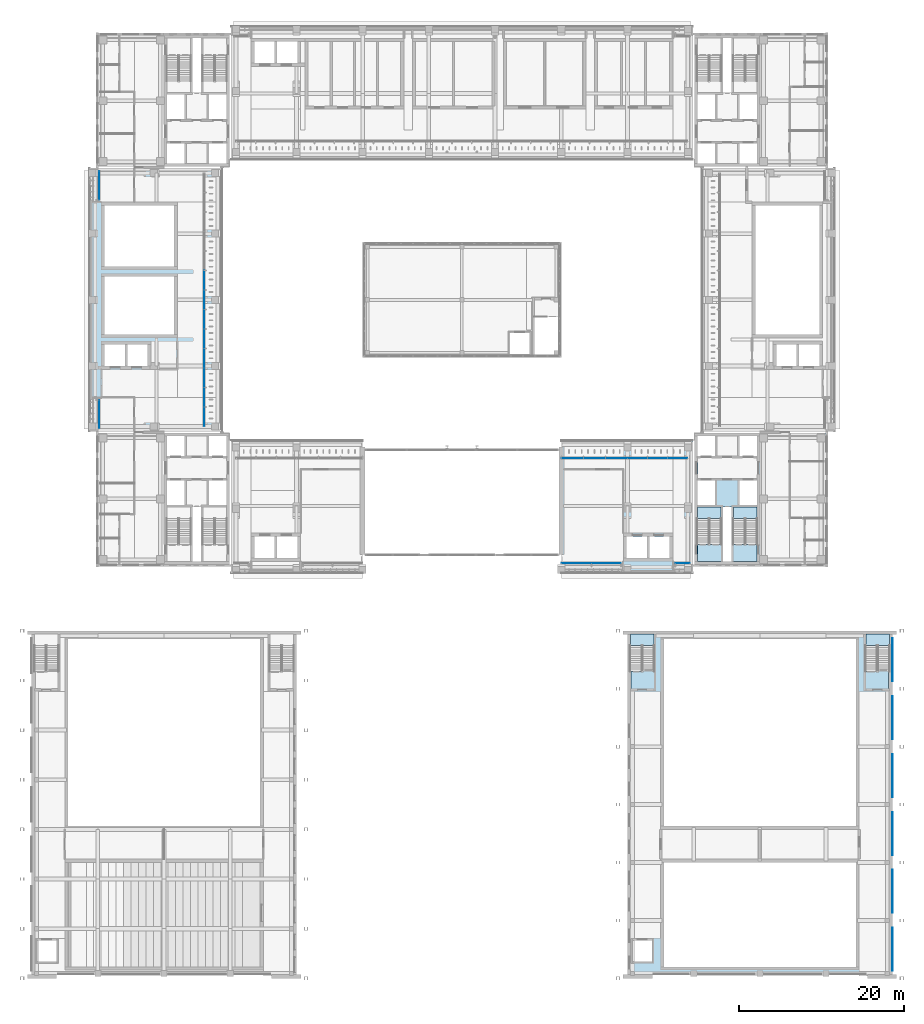
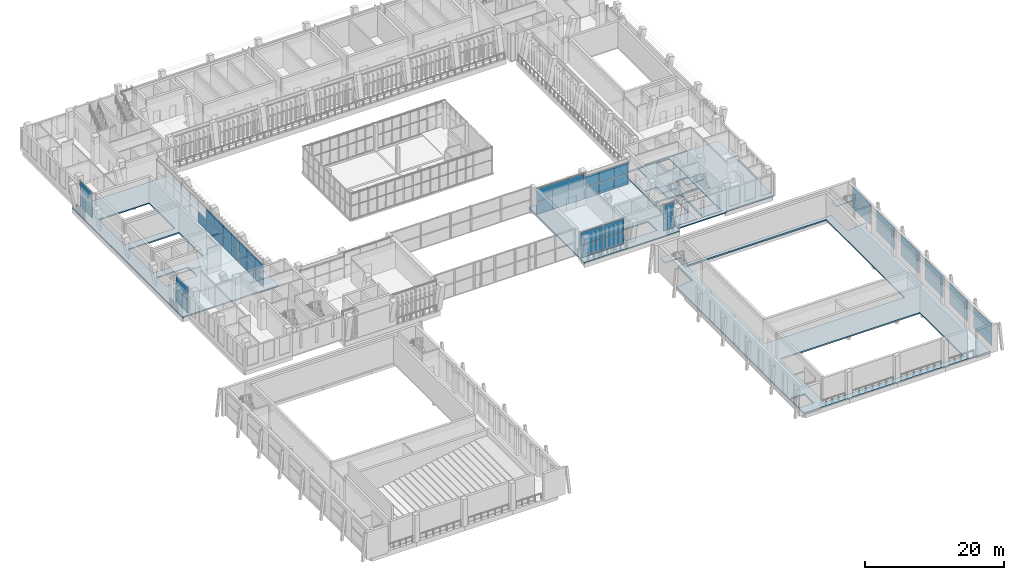
# One storey, part 53 of 92: 49 plates, 9 slabs, 11 elements without a shape of their own.
"""IFC4 building model written with IfcOpenShell, lengths in metres."""

from ifc_helpers import new_model, si_unit, direction, frame, origin, origin_2d, place, context, subcontext, project, spatial, polyline, rectangle, outline, extrude, material, layer, layer_set, type_object, element, aggregate, save


model = new_model("IFC4")

# Units and contexts
model_context = context("Model", 3, precision=1e-05, world=origin(), true_north=direction((0.0, 1.0)))
body_context = subcontext(model_context, "Body", "Model", "MODEL_VIEW")
ifc_project = project(units=[si_unit("LENGTHUNIT", "METRE"), si_unit("AREAUNIT", "SQUARE_METRE"), si_unit("VOLUMEUNIT", "CUBIC_METRE"), si_unit("PLANEANGLEUNIT", "RADIAN"), si_unit("MASSUNIT", "GRAM", prefix="KILO")], contexts=[model_context])

# Site, building, storey
site_placement = place(None, origin())
site = spatial("IfcSite", under=ifc_project, at=site_placement, CompositionType="ELEMENT")
building_placement = place(site_placement, origin())
building = spatial("IfcBuilding", under=site, at=building_placement, Name="Lantern Court Media Centre", CompositionType="ELEMENT")
storey_placement = place(building_placement, frame((0.0, 0.0, 4.800048828125)))
storey = spatial("IfcBuildingStorey", under=building, at=storey_placement, Name="L01", CompositionType="ELEMENT", Elevation=4.800048828125)

# Slab
ifc_material_1 = material(Name="Concrete C40", Category="concrete")
ifc_layer_1 = layer(ifc_material_1, 0.25)
ifc_layer_set_1 = layer_set([ifc_layer_1], Name="Concrete C40")
slab_type_1 = type_object("IfcSlabType", Name="Core floor slab 250", PredefinedType="FLOOR", material=ifc_layer_set_1)
slab_1_placement = place(storey_placement, frame((0.0, 0.0, -0.25)))
element("IfcSlab", 1, at=slab_1_placement, inside=storey, type_object=slab_type_1, Name="L01 SE core floor", PredefinedType="FLOOR", context=body_context, shape_type="SweptSolid", body=[
    extrude(outline(polyline([(87.64990234375, 55.199951171875), (87.64990234375, 54.94970703125), (84.80029296875, 54.94970703125), (84.80029296875, 50.450439453125), (87.64990234375, 50.450439453125), (87.64990234375, 48.35009765625), (84.550048828125, 48.35009765625), (84.550048828125, 54.949951171875), (83.550048828125, 54.949951171875), (83.550048828125, 48.35009765625), (80.449951171875, 48.35009765625), (80.449951171875, 50.450439453125), (83.299560546875, 50.450439453125), (83.299560546875, 54.94970703125), (80.449951171875, 54.94970703125), (80.449951171875, 55.199951171875), (82.550048828125, 55.199951171875), (82.550048828125, 58.199951171875), (80.449951171875, 58.199951171875), (80.449951171875, 61.10009765625), (82.550048828125, 61.10009765625), (82.550048828125, 63.550048828125), (85.550048828125, 63.550048828125), (85.550048828125, 61.10009765625), (87.64990234375, 61.10009765625), (87.64990234375, 58.199951171875), (85.550048828125, 58.199951171875), (85.550048828125, 55.199951171875), (87.64990234375, 55.199951171875)])), origin(), (0.0, 0.0, 1.0), 0.25),
])

# Curtain wall, plates
ifc_material_2 = material(Name="Curtain wall bay 2400")
curtain_wall_type_1 = type_object("IfcCurtainWallType", Name="Curtain wall bay 2400", PredefinedType="NOTDEFINED", material=ifc_material_2)
curtain_wall_1_placement = place(storey_placement, origin())
curtain_wall_1 = element("IfcCurtainWall", 2, at=curtain_wall_1_placement, inside=storey, type_object=curtain_wall_type_1, Name="Curtain wall S inner L01", PredefinedType="NOTDEFINED")
ifc_material_3 = material(Name="Low-iron double glazed unit glass", Category="glass")
ifc_layer_2 = layer(ifc_material_3, 0.02392578125)
ifc_layer_set_2 = layer_set([ifc_layer_2], Name="Low-iron double glazed unit glass")
plate_type_1 = type_object("IfcPlateType", Name="Curtain wall glazing unit 24", PredefinedType="CURTAIN_PANEL", material=ifc_layer_set_2)
plate_1_placement = place(storey_placement, frame((65.345947265625, 60.85009765625, 0.0498046875), z_axis=(0.0, 0.0, 1.0), x_axis=(1.0, 0.0, 0.0)))
plate_1 = element("IfcPlate", 3, at=plate_1_placement, type_object=plate_type_1, Name="CW2 panel 1.1", PredefinedType="CURTAIN_PANEL", context=body_context, shape_type="SweptSolid", body=[
    extrude(rectangle(XDim=2.591552734375, YDim=0.02392578125, at=origin_2d()), origin(), (0.0, 0.0, 1.0), 2.215087890625),
])
plate_2_placement = place(storey_placement, frame((65.345947265625, 60.85009765625, 2.31494140625), z_axis=(0.0, 0.0, 1.0), x_axis=(1.0, 0.0, 0.0)))
plate_2 = element("IfcPlate", 4, at=plate_2_placement, type_object=plate_type_1, Name="CW2 panel 1.2", PredefinedType="CURTAIN_PANEL", context=body_context, shape_type="SweptSolid", body=[
    extrude(rectangle(XDim=2.591552734375, YDim=0.02392578125, at=origin_2d()), origin(), (0.0, 0.0, 1.0), 2.215087890625),
])
plate_3_placement = place(storey_placement, frame((68.0, 60.85009765625, 0.0498046875), z_axis=(0.0, 0.0, 1.0), x_axis=(1.0, 0.0, 0.0)))
plate_3 = element("IfcPlate", 5, at=plate_3_placement, type_object=plate_type_1, Name="CW2 panel 2.1", PredefinedType="CURTAIN_PANEL", context=body_context, shape_type="SweptSolid", body=[
    extrude(rectangle(XDim=2.61669921875, YDim=0.02392578125, at=origin_2d()), origin(), (0.0, 0.0, 1.0), 2.215087890625),
])
plate_4_placement = place(storey_placement, frame((68.0, 60.85009765625, 2.31494140625), z_axis=(0.0, 0.0, 1.0), x_axis=(1.0, 0.0, 0.0)))
plate_4 = element("IfcPlate", 6, at=plate_4_placement, type_object=plate_type_1, Name="CW2 panel 2.2", PredefinedType="CURTAIN_PANEL", context=body_context, shape_type="SweptSolid", body=[
    extrude(rectangle(XDim=2.61669921875, YDim=0.02392578125, at=origin_2d()), origin(), (0.0, 0.0, 1.0), 2.215087890625),
])
plate_5_placement = place(storey_placement, frame((70.654052734375, 60.85009765625, 0.0498046875), z_axis=(0.0, 0.0, 1.0), x_axis=(1.0, 0.0, 0.0)))
plate_5 = element("IfcPlate", 7, at=plate_5_placement, type_object=plate_type_1, Name="CW2 panel 3.1", PredefinedType="CURTAIN_PANEL", context=body_context, shape_type="SweptSolid", body=[
    extrude(rectangle(XDim=2.591552734375, YDim=0.02392578125, at=origin_2d()), origin(), (0.0, 0.0, 1.0), 2.215087890625),
])
plate_6_placement = place(storey_placement, frame((70.654052734375, 60.85009765625, 2.31494140625), z_axis=(0.0, 0.0, 1.0), x_axis=(1.0, 0.0, 0.0)))
plate_6 = element("IfcPlate", 8, at=plate_6_placement, type_object=plate_type_1, Name="CW2 panel 3.2", PredefinedType="CURTAIN_PANEL", context=body_context, shape_type="SweptSolid", body=[
    extrude(rectangle(XDim=2.591552734375, YDim=0.02392578125, at=origin_2d()), origin(), (0.0, 0.0, 1.0), 2.215087890625),
])
aggregate(curtain_wall_1, [plate_1, plate_2, plate_3, plate_4, plate_5, plate_6])

curtain_wall_2_placement = place(storey_placement, origin())
curtain_wall_2 = element("IfcCurtainWall", 9, at=curtain_wall_2_placement, inside=storey, type_object=curtain_wall_type_1, Name="Curtain wall S inner L01", PredefinedType="NOTDEFINED")
plate_7_placement = place(storey_placement, frame((73.229248046875, 60.85009765625, 0.050048828125), z_axis=(0.0, 0.0, 1.0), x_axis=(1.0, 0.0, 0.0)))
plate_7 = element("IfcPlate", 10, at=plate_7_placement, type_object=plate_type_1, Name="CW2 panel 1.1", PredefinedType="CURTAIN_PANEL", context=body_context, shape_type="SweptSolid", body=[
    extrude(rectangle(XDim=2.3583984375, YDim=0.02392578125, at=origin_2d()), origin(), (0.0, 0.0, 1.0), 1.89990234375),
])
plate_8_placement = place(storey_placement, frame((73.229248046875, 60.85009765625, 2.0), z_axis=(0.0, 0.0, 1.0), x_axis=(1.0, 0.0, 0.0)))
plate_8 = element("IfcPlate", 11, at=plate_8_placement, type_object=plate_type_1, Name="CW2 panel 1.2", PredefinedType="CURTAIN_PANEL", context=body_context, shape_type="SweptSolid", body=[
    extrude(rectangle(XDim=2.3583984375, YDim=0.02392578125, at=origin_2d()), origin(), (0.0, 0.0, 1.0), 1.89990234375),
])
plate_9_placement = place(storey_placement, frame((75.64990234375, 60.85009765625, 0.050048828125), z_axis=(0.0, 0.0, 1.0), x_axis=(1.0, 0.0, 0.0)))
plate_9 = element("IfcPlate", 12, at=plate_9_placement, type_object=plate_type_1, Name="CW2 panel 2.1", PredefinedType="CURTAIN_PANEL", context=body_context, shape_type="SweptSolid", body=[
    extrude(rectangle(XDim=2.38330078125, YDim=0.02392578125, at=origin_2d()), origin(), (0.0, 0.0, 1.0), 1.89990234375),
])
plate_10_placement = place(storey_placement, frame((75.64990234375, 60.85009765625, 2.0), z_axis=(0.0, 0.0, 1.0), x_axis=(1.0, 0.0, 0.0)))
plate_10 = element("IfcPlate", 13, at=plate_10_placement, type_object=plate_type_1, Name="CW2 panel 2.2", PredefinedType="CURTAIN_PANEL", context=body_context, shape_type="SweptSolid", body=[
    extrude(rectangle(XDim=2.38330078125, YDim=0.02392578125, at=origin_2d()), origin(), (0.0, 0.0, 1.0), 1.89990234375),
])
plate_11_placement = place(storey_placement, frame((78.07080078125, 60.85009765625, 0.050048828125), z_axis=(0.0, 0.0, 1.0), x_axis=(1.0, 0.0, 0.0)))
plate_11 = element("IfcPlate", 14, at=plate_11_placement, type_object=plate_type_1, Name="CW2 panel 3.1", PredefinedType="CURTAIN_PANEL", context=body_context, shape_type="SweptSolid", body=[
    extrude(rectangle(XDim=2.3583984375, YDim=0.02392578125, at=origin_2d()), origin(), (0.0, 0.0, 1.0), 1.89990234375),
])
plate_12_placement = place(storey_placement, frame((78.07080078125, 60.85009765625, 2.0), z_axis=(0.0, 0.0, 1.0), x_axis=(1.0, 0.0, 0.0)))
plate_12 = element("IfcPlate", 15, at=plate_12_placement, type_object=plate_type_1, Name="CW2 panel 3.2", PredefinedType="CURTAIN_PANEL", context=body_context, shape_type="SweptSolid", body=[
    extrude(rectangle(XDim=2.3583984375, YDim=0.02392578125, at=origin_2d()), origin(), (0.0, 0.0, 1.0), 1.89990234375),
])
aggregate(curtain_wall_2, [plate_7, plate_8, plate_9, plate_10, plate_11, plate_12])

curtain_wall_3_placement = place(storey_placement, origin())
curtain_wall_3 = element("IfcCurtainWall", 16, at=curtain_wall_3_placement, inside=storey, type_object=curtain_wall_type_1, Name="Curtain wall W inner L01", PredefinedType="NOTDEFINED")
plate_13_placement = place(storey_placement, frame((20.85009765625, 65.889404296875, 0.050048828125), z_axis=(0.0, 0.0, 1.0), x_axis=(0.0, 1.0, 0.0)))
plate_13 = element("IfcPlate", 17, at=plate_13_placement, type_object=plate_type_1, Name="CW2 panel 1.1", PredefinedType="CURTAIN_PANEL", context=body_context, shape_type="SweptSolid", body=[
    extrude(rectangle(XDim=2.27880859375, YDim=0.02392578125, at=origin_2d()), origin(), (0.0, 0.0, 1.0), 1.89990234375),
])
plate_14_placement = place(storey_placement, frame((20.85009765625, 65.889404296875, 2.0), z_axis=(0.0, 0.0, 1.0), x_axis=(0.0, 1.0, 0.0)))
plate_14 = element("IfcPlate", 18, at=plate_14_placement, type_object=plate_type_1, Name="CW2 panel 1.2", PredefinedType="CURTAIN_PANEL", context=body_context, shape_type="SweptSolid", body=[
    extrude(rectangle(XDim=2.27880859375, YDim=0.02392578125, at=origin_2d()), origin(), (0.0, 0.0, 1.0), 1.89990234375),
])
plate_15_placement = place(storey_placement, frame((20.85009765625, 68.230712890625, 0.050048828125), z_axis=(0.0, 0.0, 1.0), x_axis=(0.0, 1.0, 0.0)))
plate_15 = element("IfcPlate", 19, at=plate_15_placement, type_object=plate_type_1, Name="CW2 panel 2.1", PredefinedType="CURTAIN_PANEL", context=body_context, shape_type="SweptSolid", body=[
    extrude(rectangle(XDim=2.303955078125, YDim=0.02392578125, at=origin_2d()), origin(), (0.0, 0.0, 1.0), 1.89990234375),
])
plate_16_placement = place(storey_placement, frame((20.85009765625, 68.230712890625, 2.0), z_axis=(0.0, 0.0, 1.0), x_axis=(0.0, 1.0, 0.0)))
plate_16 = element("IfcPlate", 20, at=plate_16_placement, type_object=plate_type_1, Name="CW2 panel 2.2", PredefinedType="CURTAIN_PANEL", context=body_context, shape_type="SweptSolid", body=[
    extrude(rectangle(XDim=2.303955078125, YDim=0.02392578125, at=origin_2d()), origin(), (0.0, 0.0, 1.0), 1.89990234375),
])
plate_17_placement = place(storey_placement, frame((20.85009765625, 70.584716796875, 0.050048828125), z_axis=(0.0, 0.0, 1.0), x_axis=(0.0, 1.0, 0.0)))
plate_17 = element("IfcPlate", 21, at=plate_17_placement, type_object=plate_type_1, Name="CW2 panel 3.1", PredefinedType="CURTAIN_PANEL", context=body_context, shape_type="SweptSolid", body=[
    extrude(rectangle(XDim=2.303955078125, YDim=0.02392578125, at=origin_2d()), origin(), (0.0, 0.0, 1.0), 1.89990234375),
])
plate_18_placement = place(storey_placement, frame((20.85009765625, 70.584716796875, 2.0), z_axis=(0.0, 0.0, 1.0), x_axis=(0.0, 1.0, 0.0)))
plate_18 = element("IfcPlate", 22, at=plate_18_placement, type_object=plate_type_1, Name="CW2 panel 3.2", PredefinedType="CURTAIN_PANEL", context=body_context, shape_type="SweptSolid", body=[
    extrude(rectangle(XDim=2.303955078125, YDim=0.02392578125, at=origin_2d()), origin(), (0.0, 0.0, 1.0), 1.89990234375),
])
plate_19_placement = place(storey_placement, frame((20.85009765625, 72.9384765625, 0.050048828125), z_axis=(0.0, 0.0, 1.0), x_axis=(0.0, 1.0, 0.0)))
plate_19 = element("IfcPlate", 23, at=plate_19_placement, type_object=plate_type_1, Name="CW2 panel 4.1", PredefinedType="CURTAIN_PANEL", context=body_context, shape_type="SweptSolid", body=[
    extrude(rectangle(XDim=2.303955078125, YDim=0.02392578125, at=origin_2d()), origin(), (0.0, 0.0, 1.0), 1.89990234375),
])
plate_20_placement = place(storey_placement, frame((20.85009765625, 72.9384765625, 2.0), z_axis=(0.0, 0.0, 1.0), x_axis=(0.0, 1.0, 0.0)))
plate_20 = element("IfcPlate", 24, at=plate_20_placement, type_object=plate_type_1, Name="CW2 panel 4.2", PredefinedType="CURTAIN_PANEL", context=body_context, shape_type="SweptSolid", body=[
    extrude(rectangle(XDim=2.303955078125, YDim=0.02392578125, at=origin_2d()), origin(), (0.0, 0.0, 1.0), 1.89990234375),
])
plate_21_placement = place(storey_placement, frame((20.85009765625, 75.292236328125, 0.050048828125), z_axis=(0.0, 0.0, 1.0), x_axis=(0.0, 1.0, 0.0)))
plate_21 = element("IfcPlate", 25, at=plate_21_placement, type_object=plate_type_1, Name="CW2 panel 5.1", PredefinedType="CURTAIN_PANEL", context=body_context, shape_type="SweptSolid", body=[
    extrude(rectangle(XDim=2.303955078125, YDim=0.02392578125, at=origin_2d()), origin(), (0.0, 0.0, 1.0), 1.89990234375),
])
plate_22_placement = place(storey_placement, frame((20.85009765625, 75.292236328125, 2.0), z_axis=(0.0, 0.0, 1.0), x_axis=(0.0, 1.0, 0.0)))
plate_22 = element("IfcPlate", 26, at=plate_22_placement, type_object=plate_type_1, Name="CW2 panel 5.2", PredefinedType="CURTAIN_PANEL", context=body_context, shape_type="SweptSolid", body=[
    extrude(rectangle(XDim=2.303955078125, YDim=0.02392578125, at=origin_2d()), origin(), (0.0, 0.0, 1.0), 1.89990234375),
])
plate_23_placement = place(storey_placement, frame((20.85009765625, 77.646240234375, 0.050048828125), z_axis=(0.0, 0.0, 1.0), x_axis=(0.0, 1.0, 0.0)))
plate_23 = element("IfcPlate", 27, at=plate_23_placement, type_object=plate_type_1, Name="CW2 panel 6.1", PredefinedType="CURTAIN_PANEL", context=body_context, shape_type="SweptSolid", body=[
    extrude(rectangle(XDim=2.303955078125, YDim=0.02392578125, at=origin_2d()), origin(), (0.0, 0.0, 1.0), 1.89990234375),
])
plate_24_placement = place(storey_placement, frame((20.85009765625, 77.646240234375, 2.0), z_axis=(0.0, 0.0, 1.0), x_axis=(0.0, 1.0, 0.0)))
plate_24 = element("IfcPlate", 28, at=plate_24_placement, type_object=plate_type_1, Name="CW2 panel 6.2", PredefinedType="CURTAIN_PANEL", context=body_context, shape_type="SweptSolid", body=[
    extrude(rectangle(XDim=2.303955078125, YDim=0.02392578125, at=origin_2d()), origin(), (0.0, 0.0, 1.0), 1.89990234375),
])
plate_25_placement = place(storey_placement, frame((20.85009765625, 80.0, 0.050048828125), z_axis=(0.0, 0.0, 1.0), x_axis=(0.0, 1.0, 0.0)))
plate_25 = element("IfcPlate", 29, at=plate_25_placement, type_object=plate_type_1, Name="CW2 panel 7.1", PredefinedType="CURTAIN_PANEL", context=body_context, shape_type="SweptSolid", body=[
    extrude(rectangle(XDim=2.303955078125, YDim=0.02392578125, at=origin_2d()), origin(), (0.0, 0.0, 1.0), 1.89990234375),
])
plate_26_placement = place(storey_placement, frame((20.85009765625, 80.0, 2.0), z_axis=(0.0, 0.0, 1.0), x_axis=(0.0, 1.0, 0.0)))
plate_26 = element("IfcPlate", 30, at=plate_26_placement, type_object=plate_type_1, Name="CW2 panel 7.2", PredefinedType="CURTAIN_PANEL", context=body_context, shape_type="SweptSolid", body=[
    extrude(rectangle(XDim=2.303955078125, YDim=0.02392578125, at=origin_2d()), origin(), (0.0, 0.0, 1.0), 1.89990234375),
])
plate_27_placement = place(storey_placement, frame((20.85009765625, 82.353759765625, 0.050048828125), z_axis=(0.0, 0.0, 1.0), x_axis=(0.0, 1.0, 0.0)))
plate_27 = element("IfcPlate", 31, at=plate_27_placement, type_object=plate_type_1, Name="CW2 panel 8.1", PredefinedType="CURTAIN_PANEL", context=body_context, shape_type="SweptSolid", body=[
    extrude(rectangle(XDim=2.303955078125, YDim=0.02392578125, at=origin_2d()), origin(), (0.0, 0.0, 1.0), 1.89990234375),
])
aggregate(curtain_wall_3, [plate_13, plate_14, plate_15, plate_16, plate_17, plate_18, plate_19, plate_20, plate_21, plate_22, plate_23, plate_24, plate_25, plate_26, plate_27])

ifc_material_4 = material(Name="Curtain wall bay 3000")
curtain_wall_type_2 = type_object("IfcCurtainWallType", Name="Curtain wall bay 3000", PredefinedType="NOTDEFINED", material=ifc_material_4)
curtain_wall_4_placement = place(storey_placement, origin())
curtain_wall_4 = element("IfcCurtainWall", 32, at=curtain_wall_4_placement, inside=storey, type_object=curtain_wall_type_2, Name="Curtain wall S outer L01", PredefinedType="NOTDEFINED")
ifc_layer_3 = layer(ifc_material_3, 0.028076171875)
ifc_layer_set_3 = layer_set([ifc_layer_3], Name="Low-iron double glazed unit glass")
plate_type_2 = type_object("IfcPlateType", Name="Curtain wall glazing unit 28", PredefinedType="CURTAIN_PANEL", material=ifc_layer_set_3)
plate_28_placement = place(storey_placement, frame((65.827392578125, 48.14990234375, 0.06005859375), z_axis=(0.0, 0.0, 1.0), x_axis=(1.0, 0.0, 0.0)))
plate_28 = element("IfcPlate", 33, at=plate_28_placement, type_object=plate_type_2, Name="CW1 panel 1.1", PredefinedType="CURTAIN_PANEL", context=body_context, shape_type="SweptSolid", body=[
    extrude(rectangle(XDim=3.534912109375, YDim=0.028076171875, at=origin_2d()), origin(), (0.0, 0.0, 1.0), 2.199951171875),
])
plate_29_placement = place(storey_placement, frame((65.827392578125, 48.14990234375, 2.31982421875), z_axis=(0.0, 0.0, 1.0), x_axis=(1.0, 0.0, 0.0)))
plate_29 = element("IfcPlate", 34, at=plate_29_placement, type_object=plate_type_2, Name="CW1 panel 1.2", PredefinedType="CURTAIN_PANEL", context=body_context, shape_type="SweptSolid", body=[
    extrude(rectangle(XDim=3.534912109375, YDim=0.028076171875, at=origin_2d()), origin(), (0.0, 0.0, 1.0), 2.199951171875),
])
plate_30_placement = place(storey_placement, frame((69.422607421875, 48.14990234375, 0.06005859375), z_axis=(0.0, 0.0, 1.0), x_axis=(1.0, 0.0, 0.0)))
plate_30 = element("IfcPlate", 35, at=plate_30_placement, type_object=plate_type_2, Name="CW1 panel 2.1", PredefinedType="CURTAIN_PANEL", context=body_context, shape_type="SweptSolid", body=[
    extrude(rectangle(XDim=3.534912109375, YDim=0.028076171875, at=origin_2d()), origin(), (0.0, 0.0, 1.0), 2.199951171875),
])
plate_31_placement = place(storey_placement, frame((69.422607421875, 48.14990234375, 2.31982421875), z_axis=(0.0, 0.0, 1.0), x_axis=(1.0, 0.0, 0.0)))
plate_31 = element("IfcPlate", 36, at=plate_31_placement, type_object=plate_type_2, Name="CW1 panel 2.2", PredefinedType="CURTAIN_PANEL", context=body_context, shape_type="SweptSolid", body=[
    extrude(rectangle(XDim=3.534912109375, YDim=0.028076171875, at=origin_2d()), origin(), (0.0, 0.0, 1.0), 2.199951171875),
])
aggregate(curtain_wall_4, [plate_28, plate_29, plate_30, plate_31])

curtain_wall_5_placement = place(storey_placement, origin())
curtain_wall_5 = element("IfcCurtainWall", 37, at=curtain_wall_5_placement, inside=storey, type_object=curtain_wall_type_2, Name="Curtain wall S outer L01", PredefinedType="NOTDEFINED")
plate_32_placement = place(storey_placement, frame((78.6650390625, 48.14990234375, 0.06005859375), z_axis=(0.0, 0.0, 1.0), x_axis=(1.0, 0.0, 0.0)))
plate_32 = element("IfcPlate", 38, at=plate_32_placement, type_object=plate_type_2, Name="CW1 panel 1.1", PredefinedType="CURTAIN_PANEL", context=body_context, shape_type="SweptSolid", body=[
    extrude(rectangle(XDim=1.7099609375, YDim=0.028076171875, at=origin_2d()), origin(), (0.0, 0.0, 1.0), 2.199951171875),
])
plate_33_placement = place(storey_placement, frame((78.6650390625, 48.14990234375, 2.31982421875), z_axis=(0.0, 0.0, 1.0), x_axis=(1.0, 0.0, 0.0)))
plate_33 = element("IfcPlate", 39, at=plate_33_placement, type_object=plate_type_2, Name="CW1 panel 1.2", PredefinedType="CURTAIN_PANEL", context=body_context, shape_type="SweptSolid", body=[
    extrude(rectangle(XDim=1.7099609375, YDim=0.028076171875, at=origin_2d()), origin(), (0.0, 0.0, 1.0), 2.199951171875),
])
aggregate(curtain_wall_5, [plate_32, plate_33])

curtain_wall_6_placement = place(storey_placement, origin())
curtain_wall_6 = element("IfcCurtainWall", 40, at=curtain_wall_6_placement, inside=storey, type_object=curtain_wall_type_2, Name="Curtain wall W outer L01", PredefinedType="NOTDEFINED")
plate_34_placement = place(storey_placement, frame((8.14990234375, 66.18505859375, 0.06005859375), z_axis=(0.0, 0.0, 1.0), x_axis=(0.0, 1.0, 0.0)))
plate_34 = element("IfcPlate", 41, at=plate_34_placement, type_object=plate_type_2, Name="CW1 panel 1.1", PredefinedType="CURTAIN_PANEL", context=body_context, shape_type="SweptSolid", body=[
    extrude(rectangle(XDim=3.409912109375, YDim=0.028076171875, at=origin_2d()), origin(), (0.0, 0.0, 1.0), 2.199951171875),
])
plate_35_placement = place(storey_placement, frame((8.14990234375, 66.18505859375, 2.31982421875), z_axis=(0.0, 0.0, 1.0), x_axis=(0.0, 1.0, 0.0)))
plate_35 = element("IfcPlate", 42, at=plate_35_placement, type_object=plate_type_2, Name="CW1 panel 1.2", PredefinedType="CURTAIN_PANEL", context=body_context, shape_type="SweptSolid", body=[
    extrude(rectangle(XDim=3.409912109375, YDim=0.028076171875, at=origin_2d()), origin(), (0.0, 0.0, 1.0), 2.199951171875),
])
aggregate(curtain_wall_6, [plate_34, plate_35])

curtain_wall_7_placement = place(storey_placement, origin())
curtain_wall_7 = element("IfcCurtainWall", 43, at=curtain_wall_7_placement, inside=storey, type_object=curtain_wall_type_2, Name="Curtain wall W outer L01", PredefinedType="NOTDEFINED")
plate_36_placement = place(storey_placement, frame((8.14990234375, 93.81494140625, 0.06005859375), z_axis=(0.0, 0.0, 1.0), x_axis=(0.0, 1.0, 0.0)))
plate_36 = element("IfcPlate", 44, at=plate_36_placement, type_object=plate_type_2, Name="CW1 panel 1.1", PredefinedType="CURTAIN_PANEL", context=body_context, shape_type="SweptSolid", body=[
    extrude(rectangle(XDim=3.409912109375, YDim=0.028076171875, at=origin_2d()), origin(), (0.0, 0.0, 1.0), 2.199951171875),
])
plate_37_placement = place(storey_placement, frame((8.14990234375, 93.81494140625, 2.31982421875), z_axis=(0.0, 0.0, 1.0), x_axis=(0.0, 1.0, 0.0)))
plate_37 = element("IfcPlate", 45, at=plate_37_placement, type_object=plate_type_2, Name="CW1 panel 1.2", PredefinedType="CURTAIN_PANEL", context=body_context, shape_type="SweptSolid", body=[
    extrude(rectangle(XDim=3.409912109375, YDim=0.028076171875, at=origin_2d()), origin(), (0.0, 0.0, 1.0), 2.199951171875),
])
aggregate(curtain_wall_7, [plate_36, plate_37])

# Slabs
ifc_material_5 = material(Name="Concrete C35", Category="concrete")
ifc_layer_4 = layer(ifc_material_5, 0.199951171875)
ifc_layer_set_4 = layer_set([ifc_layer_4], Name="Concrete C35")
slab_type_2 = type_object("IfcSlabType", Name="RC FLOOR SLAB 200", PredefinedType="FLOOR", material=ifc_layer_set_4)
slab_2_placement = place(storey_placement, frame((0.0, 0.0, -0.199951171875)))
element("IfcSlab", 46, at=slab_2_placement, inside=storey, type_object=slab_type_2, Name="SL-SE-L01", PredefinedType="FLOOR", context=body_context, shape_type="SweptSolid", body=[
    extrude(outline(polyline([(80.10009765625, 63.89990234375), (96.0, 63.89990234375), (96.0, 48.0), (88.10009765625, 48.0), (88.10009765625, 47.780029296875), (80.10009765625, 47.780029296875), (80.10009765625, 48.0), (80.10009765625, 63.89990234375)]), holes=[polyline([(80.449951171875, 63.550048828125), (80.449951171875, 48.35009765625), (87.64990234375, 48.35009765625), (87.64990234375, 63.550048828125), (80.449951171875, 63.550048828125)])]), origin(), (0.0, 0.0, 1.0), 0.199951171875),
])
ifc_layer_5 = layer(ifc_material_5, 0.219970703125)
ifc_layer_set_5 = layer_set([ifc_layer_5], Name="Concrete C35")
slab_type_3 = type_object("IfcSlabType", Name="RC FLOOR SLAB 220", PredefinedType="FLOOR", material=ifc_layer_set_5)
slab_3_placement = place(storey_placement, frame((0.0, 0.0, -0.219970703125)))
element("IfcSlab", 47, at=slab_3_placement, inside=storey, type_object=slab_type_3, Name="SL-S-L01", PredefinedType="FLOOR", context=body_context, shape_type="SweptSolid", body=[
    extrude(outline(polyline([(79.89990234375, 63.0), (79.89990234375, 47.0), (64.0, 47.0), (64.0, 63.0), (79.89990234375, 63.0)]), holes=[polyline([(71.89990234375, 48.800048828125), (77.10009765625, 48.800048828125), (77.10009765625, 51.39990234375), (71.89990234375, 51.39990234375), (71.89990234375, 48.800048828125)])]), origin(), (0.0, 0.0, 1.0), 0.219970703125),
])
slab_4_placement = place(storey_placement, frame((0.0, 0.0, -0.219970703125)))
element("IfcSlab", 48, at=slab_4_placement, inside=storey, type_object=slab_type_3, Name="SL-W-L01", PredefinedType="FLOOR", context=body_context, shape_type="SweptSolid", body=[
    extrude(outline(polyline([(7.0, 64.10009765625), (7.0, 95.89990234375), (23.0, 95.89990234375), (23.0, 64.10009765625), (7.0, 64.10009765625)]), holes=[polyline([(14.0, 72.0), (14.0, 74.60009765625), (8.800048828125, 74.60009765625), (8.800048828125, 72.0), (14.0, 72.0)]), polyline([(8.800048828125, 75.800048828125), (17.199951171875, 75.800048828125), (17.199951171875, 82.800048828125), (8.800048828125, 82.800048828125), (8.800048828125, 75.800048828125)]), polyline([(8.800048828125, 84.0), (17.199951171875, 84.0), (17.199951171875, 91.39990234375), (8.800048828125, 91.39990234375), (8.800048828125, 84.0)])]), origin(), (0.0, 0.0, 1.0), 0.219970703125),
])
ifc_layer_6 = layer(ifc_material_5, 0.25)
ifc_layer_set_6 = layer_set([ifc_layer_6], Name="Concrete C35")
slab_type_4 = type_object("IfcSlabType", Name="RC FLOOR SLAB 250", PredefinedType="FLOOR", material=ifc_layer_set_6)
slab_5_placement = place(storey_placement, frame((0.0, 0.0, -0.25)))
element("IfcSlab", 49, at=slab_5_placement, inside=storey, type_object=slab_type_4, Name="SL-V2-L01", PredefinedType="FLOOR", context=body_context, shape_type="SweptSolid", body=[
    extrude(outline(polyline([(72.449951171875, 35.100341796875), (73.849609375, 35.100341796875), (73.849609375, 35.30029296875), (75.19970703125, 35.30029296875), (75.19970703125, 39.550048828125), (100.80029296875, 39.550048828125), (100.80029296875, 35.100341796875), (102.299560546875, 35.100341796875), (102.299560546875, 35.30029296875), (103.550048828125, 35.30029296875), (103.550048828125, -1.550048828125), (72.449951171875, -1.550048828125), (72.449951171875, 35.100341796875)]), holes=[polyline([(99.60009765625, 12.0), (76.39990234375, 12.0), (76.39990234375, -0.60009765625), (99.60009765625, -0.60009765625), (99.60009765625, 12.0)]), polyline([(99.60009765625, 39.0), (76.39990234375, 39.0), (76.39990234375, 16.39990234375), (99.60009765625, 16.39990234375), (99.60009765625, 39.0)]), polyline([(72.60009765625, 0.0), (75.0, 0.0), (75.0, 2.60009765625), (72.60009765625, 2.60009765625), (72.60009765625, 0.0)])]), origin(), (0.0, 0.0, 1.0), 0.25),
])

# Stair, slab
stair_type = type_object("IfcStairType", Name="Exit stair 1350", PredefinedType="HALF_TURN_STAIR", material=ifc_material_1)
stair_1_placement = place(storey_placement, origin())
stair_1 = element("IfcStair", 50, at=stair_1_placement, inside=storey, type_object=stair_type, Name="L01 SE exit stair A", PredefinedType="HALF_TURN_STAIR")
ifc_layer_7 = layer(ifc_material_1, 0.199951171875)
ifc_layer_set_7 = layer_set([ifc_layer_7], Name="Concrete C40")
slab_type_5 = type_object("IfcSlabType", Name="Stair landing RC 200", PredefinedType="LANDING", material=ifc_layer_set_7)
slab_6_placement = place(storey_placement, frame((0.0, 0.0, 2.199951171875)))
slab_6 = element("IfcSlab", 51, at=slab_6_placement, type_object=slab_type_5, Name="ST-SEA landing 1", PredefinedType="LANDING", context=body_context, shape_type="SweptSolid", body=[
    extrude(outline(polyline([(87.64990234375, 53.570068359375), (87.64990234375, 54.949951171875), (84.800048828125, 54.949951171875), (84.800048828125, 53.570068359375), (87.64990234375, 53.570068359375)])), origin(), (0.0, 0.0, 1.0), 0.199951171875),
])
aggregate(stair_1, [slab_6])

stair_2_placement = place(storey_placement, origin())
stair_2 = element("IfcStair", 52, at=stair_2_placement, inside=storey, type_object=stair_type, Name="L01 SE exit stair B", PredefinedType="HALF_TURN_STAIR")
slab_7_placement = place(storey_placement, frame((0.0, 0.0, 2.199951171875)))
slab_7 = element("IfcSlab", 53, at=slab_7_placement, type_object=slab_type_5, Name="ST-SEB landing 1", PredefinedType="LANDING", context=body_context, shape_type="SweptSolid", body=[
    extrude(outline(polyline([(83.300048828125, 53.570068359375), (83.300048828125, 54.949951171875), (80.449951171875, 54.949951171875), (80.449951171875, 53.570068359375), (83.300048828125, 53.570068359375)])), origin(), (0.0, 0.0, 1.0), 0.199951171875),
])
aggregate(stair_2, [slab_7])

stair_3_placement = place(storey_placement, origin())
stair_3 = element("IfcStair", 54, at=stair_3_placement, inside=storey, type_object=stair_type, Name="L01 V2-ST-W exit stair", PredefinedType="HALF_TURN_STAIR")
slab_8_placement = place(storey_placement, frame((0.0, 0.0, 2.199951171875)))
slab_8 = element("IfcSlab", 55, at=slab_8_placement, type_object=slab_type_5, Name="ST-V2-ST-W landing 1", PredefinedType="LANDING", context=body_context, shape_type="SweptSolid", body=[
    extrude(outline(polyline([(75.199951171875, 38.219970703125), (75.199951171875, 39.60009765625), (72.35009765625, 39.60009765625), (72.35009765625, 38.219970703125), (75.199951171875, 38.219970703125)])), origin(), (0.0, 0.0, 1.0), 0.199951171875),
])
aggregate(stair_3, [slab_8])

stair_4_placement = place(storey_placement, origin())
stair_4 = element("IfcStair", 56, at=stair_4_placement, inside=storey, type_object=stair_type, Name="L01 V2-ST-E exit stair", PredefinedType="HALF_TURN_STAIR")
slab_9_placement = place(storey_placement, frame((0.0, 0.0, 2.199951171875)))
slab_9 = element("IfcSlab", 57, at=slab_9_placement, type_object=slab_type_5, Name="ST-V2-ST-E landing 1", PredefinedType="LANDING", context=body_context, shape_type="SweptSolid", body=[
    extrude(outline(polyline([(103.64990234375, 38.219970703125), (103.64990234375, 39.60009765625), (100.800048828125, 39.60009765625), (100.800048828125, 38.219970703125), (103.64990234375, 38.219970703125)])), origin(), (0.0, 0.0, 1.0), 0.199951171875),
])
aggregate(stair_4, [slab_9])

# Plates
ifc_material_6 = material(Name="Limestone cladding", Category="masonry")
ifc_layer_8 = layer(ifc_material_6, 0.080078125)
ifc_layer_set_8 = layer_set([ifc_layer_8], Name="Limestone cladding")
plate_type_3 = type_object("IfcPlateType", Name="Stone relief panel", PredefinedType="SHEET", material=ifc_layer_set_8)
plate_38_placement = place(storey_placement, frame((104.0400390625, 1.5, 0.5), z_axis=(0.0, 0.0, 1.0), x_axis=(1.0, 0.0, 0.0)))
element("IfcPlate", 58, at=plate_38_placement, inside=storey, type_object=plate_type_3, Name="Studio Hall street face relief panel", PredefinedType="SHEET", context=body_context, shape_type="SweptSolid", body=[
    extrude(rectangle(XDim=0.080078125, YDim=5.199951171875, at=origin_2d()), origin(), (0.0, 0.0, 1.0), 2.0),
])
plate_39_placement = place(storey_placement, frame((104.0400390625, 1.5, 2.699951171875), z_axis=(0.0, 0.0, 1.0), x_axis=(1.0, 0.0, 0.0)))
element("IfcPlate", 59, at=plate_39_placement, inside=storey, type_object=plate_type_3, Name="Studio Hall street face relief panel", PredefinedType="SHEET", context=body_context, shape_type="SweptSolid", body=[
    extrude(rectangle(XDim=0.080078125, YDim=5.199951171875, at=origin_2d()), origin(), (0.0, 0.0, 1.0), 1.60009765625),
])
plate_40_placement = place(storey_placement, frame((104.0400390625, 8.5, 0.5), z_axis=(0.0, 0.0, 1.0), x_axis=(1.0, 0.0, 0.0)))
element("IfcPlate", 60, at=plate_40_placement, inside=storey, type_object=plate_type_3, Name="Studio Hall street face relief panel", PredefinedType="SHEET", context=body_context, shape_type="SweptSolid", body=[
    extrude(rectangle(XDim=0.080078125, YDim=5.199951171875, at=origin_2d()), origin(), (0.0, 0.0, 1.0), 2.0),
])
plate_41_placement = place(storey_placement, frame((104.0400390625, 8.5, 2.699951171875), z_axis=(0.0, 0.0, 1.0), x_axis=(1.0, 0.0, 0.0)))
element("IfcPlate", 61, at=plate_41_placement, inside=storey, type_object=plate_type_3, Name="Studio Hall street face relief panel", PredefinedType="SHEET", context=body_context, shape_type="SweptSolid", body=[
    extrude(rectangle(XDim=0.080078125, YDim=5.199951171875, at=origin_2d()), origin(), (0.0, 0.0, 1.0), 1.60009765625),
])
plate_42_placement = place(storey_placement, frame((104.0400390625, 15.5, 0.5), z_axis=(0.0, 0.0, 1.0), x_axis=(1.0, 0.0, 0.0)))
element("IfcPlate", 62, at=plate_42_placement, inside=storey, type_object=plate_type_3, Name="Studio Hall street face relief panel", PredefinedType="SHEET", context=body_context, shape_type="SweptSolid", body=[
    extrude(rectangle(XDim=0.080078125, YDim=5.199951171875, at=origin_2d()), origin(), (0.0, 0.0, 1.0), 2.0),
])
plate_43_placement = place(storey_placement, frame((104.0400390625, 15.5, 2.699951171875), z_axis=(0.0, 0.0, 1.0), x_axis=(1.0, 0.0, 0.0)))
element("IfcPlate", 63, at=plate_43_placement, inside=storey, type_object=plate_type_3, Name="Studio Hall street face relief panel", PredefinedType="SHEET", context=body_context, shape_type="SweptSolid", body=[
    extrude(rectangle(XDim=0.080078125, YDim=5.199951171875, at=origin_2d()), origin(), (0.0, 0.0, 1.0), 1.60009765625),
])
plate_44_placement = place(storey_placement, frame((104.0400390625, 22.5, 0.5), z_axis=(0.0, 0.0, 1.0), x_axis=(1.0, 0.0, 0.0)))
element("IfcPlate", 64, at=plate_44_placement, inside=storey, type_object=plate_type_3, Name="Studio Hall street face relief panel", PredefinedType="SHEET", context=body_context, shape_type="SweptSolid", body=[
    extrude(rectangle(XDim=0.080078125, YDim=5.199951171875, at=origin_2d()), origin(), (0.0, 0.0, 1.0), 2.0),
])
plate_45_placement = place(storey_placement, frame((104.0400390625, 22.5, 2.699951171875), z_axis=(0.0, 0.0, 1.0), x_axis=(1.0, 0.0, 0.0)))
element("IfcPlate", 65, at=plate_45_placement, inside=storey, type_object=plate_type_3, Name="Studio Hall street face relief panel", PredefinedType="SHEET", context=body_context, shape_type="SweptSolid", body=[
    extrude(rectangle(XDim=0.080078125, YDim=5.199951171875, at=origin_2d()), origin(), (0.0, 0.0, 1.0), 1.60009765625),
])
plate_46_placement = place(storey_placement, frame((104.0400390625, 29.5, 0.5), z_axis=(0.0, 0.0, 1.0), x_axis=(1.0, 0.0, 0.0)))
element("IfcPlate", 66, at=plate_46_placement, inside=storey, type_object=plate_type_3, Name="Studio Hall street face relief panel", PredefinedType="SHEET", context=body_context, shape_type="SweptSolid", body=[
    extrude(rectangle(XDim=0.080078125, YDim=5.199951171875, at=origin_2d()), origin(), (0.0, 0.0, 1.0), 2.0),
])
plate_47_placement = place(storey_placement, frame((104.0400390625, 29.5, 2.699951171875), z_axis=(0.0, 0.0, 1.0), x_axis=(1.0, 0.0, 0.0)))
element("IfcPlate", 67, at=plate_47_placement, inside=storey, type_object=plate_type_3, Name="Studio Hall street face relief panel", PredefinedType="SHEET", context=body_context, shape_type="SweptSolid", body=[
    extrude(rectangle(XDim=0.080078125, YDim=5.199951171875, at=origin_2d()), origin(), (0.0, 0.0, 1.0), 1.60009765625),
])
plate_48_placement = place(storey_placement, frame((104.0400390625, 36.5, 0.5), z_axis=(0.0, 0.0, 1.0), x_axis=(1.0, 0.0, 0.0)))
element("IfcPlate", 68, at=plate_48_placement, inside=storey, type_object=plate_type_3, Name="Studio Hall street face relief panel", PredefinedType="SHEET", context=body_context, shape_type="SweptSolid", body=[
    extrude(rectangle(XDim=0.080078125, YDim=5.199951171875, at=origin_2d()), origin(), (0.0, 0.0, 1.0), 2.0),
])
plate_49_placement = place(storey_placement, frame((104.0400390625, 36.5, 2.699951171875), z_axis=(0.0, 0.0, 1.0), x_axis=(1.0, 0.0, 0.0)))
element("IfcPlate", 69, at=plate_49_placement, inside=storey, type_object=plate_type_3, Name="Studio Hall street face relief panel", PredefinedType="SHEET", context=body_context, shape_type="SweptSolid", body=[
    extrude(rectangle(XDim=0.080078125, YDim=5.199951171875, at=origin_2d()), origin(), (0.0, 0.0, 1.0), 1.60009765625),
])

save(model, "model.ifc")
